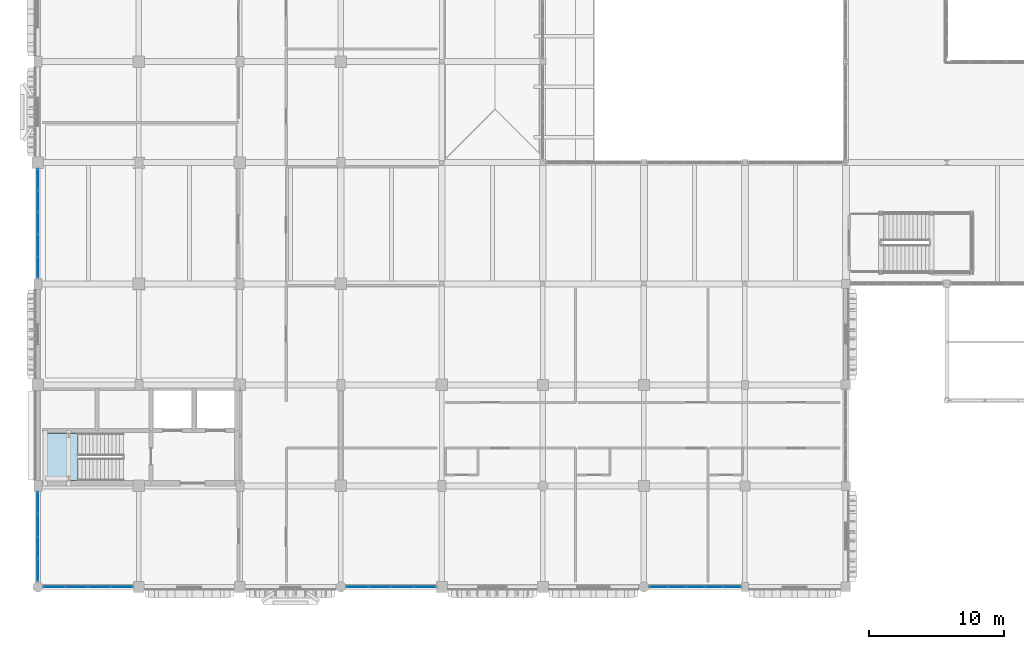
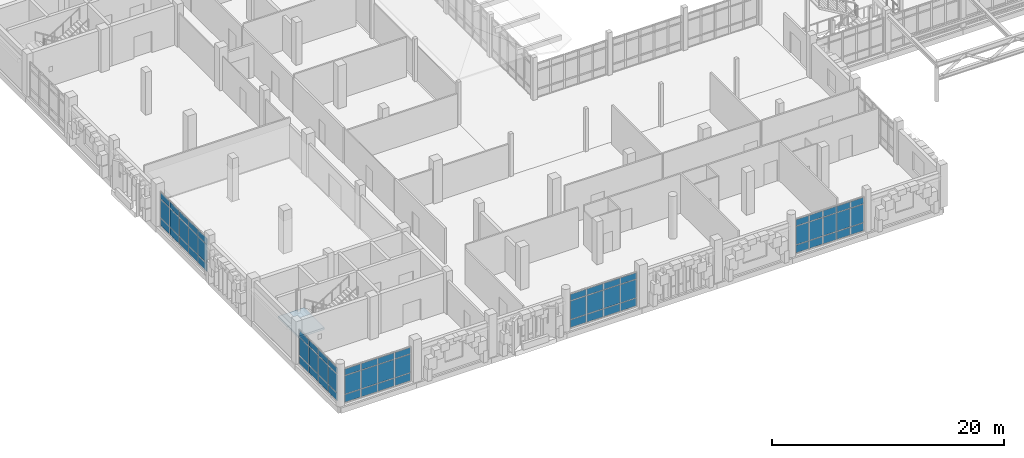
# One storey, part 71 of 128: 66 plates, 1 slab, 6 elements without a shape of their own.
"""IFC4 building model written with IfcOpenShell, lengths in metres."""

from ifc_helpers import new_model, si_unit, direction, frame, origin, origin_2d, place, context, subcontext, project, spatial, polyline, rectangle, outline, extrude, material, layer, layer_set, type_object, element, aggregate, save


model = new_model("IFC4")

# Units and contexts
model_context = context("Model", 3, precision=1e-05, world=origin(), true_north=direction((0.0, 1.0)))
body_context = subcontext(model_context, "Body", "Model", "MODEL_VIEW")
ifc_project = project(units=[si_unit("LENGTHUNIT", "METRE"), si_unit("AREAUNIT", "SQUARE_METRE"), si_unit("VOLUMEUNIT", "CUBIC_METRE"), si_unit("PLANEANGLEUNIT", "RADIAN"), si_unit("MASSUNIT", "GRAM", prefix="KILO")], contexts=[model_context])

# Site, building, storey
site_placement = place(None, origin())
site = spatial("IfcSite", under=ifc_project, at=site_placement, CompositionType="ELEMENT")
building_placement = place(site_placement, origin())
building = spatial("IfcBuilding", under=site, at=building_placement, Name="Dalvernix Boulevard General Hospital", CompositionType="ELEMENT")
storey_placement = place(building_placement, frame((0.0, 0.0, 4.800048828125)))
storey = spatial("IfcBuildingStorey", under=building, at=storey_placement, Name="L01", CompositionType="ELEMENT", Elevation=4.800048828125)

# Curtain wall, plates
ifc_material_1 = material(Name="Thermally broken aluminium and solar-control glass curtain wall", Category="aluminium")
ifc_layer_1 = layer(ifc_material_1, 0.179931640625)
ifc_layer_set_1 = layer_set([ifc_layer_1], Name="Thermally broken aluminium and solar-control glass curtain wall (CW-CW-B-67x36)")
curtain_wall_type_1 = type_object("IfcCurtainWallType", Name="CW-CW-B-67x36", PredefinedType="USERDEFINED", material=ifc_layer_set_1)
curtain_wall_1_placement = place(storey_placement, origin())
curtain_wall_1 = element("IfcCurtainWall", 1, at=curtain_wall_1_placement, inside=storey, type_object=curtain_wall_type_1, Name="L01 curtain wall CW-B-67x36 0-0", ObjectType="GLAZED FACADE", PredefinedType="USERDEFINED")
ifc_material_2 = material(Name="Double-glazed solar-control low-emissivity glass", Category="glass")
ifc_layer_2 = layer(ifc_material_2, 0.028076171875)
ifc_layer_set_2 = layer_set([ifc_layer_2], Name="Double-glazed solar-control low-emissivity glass (PLT-CW-P2)")
plate_type = type_object("IfcPlateType", Name="PLT-CW-P2", PredefinedType="CURTAIN_PANEL", material=ifc_layer_set_2)
plate_1_placement = place(storey_placement, frame((6.235595703125, 0.0, 0.06494140625), z_axis=(0.0, 0.0, 1.0), x_axis=(-1.0, 0.0, 0.0)))
plate_1 = element("IfcPlate", 2, at=plate_1_placement, type_object=plate_type, Name="CW-B-67x36 panel 1.1", PredefinedType="CURTAIN_PANEL", context=body_context, shape_type="SweptSolid", body=[
    extrude(rectangle(XDim=1.578857421875, YDim=0.028076171875, at=origin_2d()), origin(), (0.0, 0.0, 1.0), 0.802490234375),
])
plate_2_placement = place(storey_placement, frame((6.235595703125, 0.0, 0.932373046875), z_axis=(0.0, 0.0, 1.0), x_axis=(-1.0, 0.0, 0.0)))
plate_2 = element("IfcPlate", 3, at=plate_2_placement, type_object=plate_type, Name="CW-B-67x36 panel 1.2", PredefinedType="CURTAIN_PANEL", context=body_context, shape_type="SweptSolid", body=[
    extrude(rectangle(XDim=1.578857421875, YDim=0.028076171875, at=origin_2d()), origin(), (0.0, 0.0, 1.0), 1.9150390625),
])
plate_3_placement = place(storey_placement, frame((6.235595703125, 0.0, 2.91259765625), z_axis=(0.0, 0.0, 1.0), x_axis=(-1.0, 0.0, 0.0)))
plate_3 = element("IfcPlate", 4, at=plate_3_placement, type_object=plate_type, Name="CW-B-67x36 panel 1.3", PredefinedType="CURTAIN_PANEL", context=body_context, shape_type="SweptSolid", body=[
    extrude(rectangle(XDim=1.578857421875, YDim=0.028076171875, at=origin_2d()), origin(), (0.0, 0.0, 1.0), 0.652587890625),
])
plate_4_placement = place(storey_placement, frame((4.57568359375, 0.0, 0.06494140625), z_axis=(0.0, 0.0, 1.0), x_axis=(-1.0, 0.0, 0.0)))
plate_4 = element("IfcPlate", 5, at=plate_4_placement, type_object=plate_type, Name="CW-B-67x36 panel 2.1", PredefinedType="CURTAIN_PANEL", context=body_context, shape_type="SweptSolid", body=[
    extrude(rectangle(XDim=1.611328125, YDim=0.028076171875, at=origin_2d()), origin(), (0.0, 0.0, 1.0), 0.802490234375),
])
plate_5_placement = place(storey_placement, frame((4.57568359375, 0.0, 0.932373046875), z_axis=(0.0, 0.0, 1.0), x_axis=(-1.0, 0.0, 0.0)))
plate_5 = element("IfcPlate", 6, at=plate_5_placement, type_object=plate_type, Name="CW-B-67x36 panel 2.2", PredefinedType="CURTAIN_PANEL", context=body_context, shape_type="SweptSolid", body=[
    extrude(rectangle(XDim=1.611328125, YDim=0.028076171875, at=origin_2d()), origin(), (0.0, 0.0, 1.0), 1.9150390625),
])
plate_6_placement = place(storey_placement, frame((4.57568359375, 0.0, 2.91259765625), z_axis=(0.0, 0.0, 1.0), x_axis=(-1.0, 0.0, 0.0)))
plate_6 = element("IfcPlate", 7, at=plate_6_placement, type_object=plate_type, Name="CW-B-67x36 panel 2.3", PredefinedType="CURTAIN_PANEL", context=body_context, shape_type="SweptSolid", body=[
    extrude(rectangle(XDim=1.611328125, YDim=0.028076171875, at=origin_2d()), origin(), (0.0, 0.0, 1.0), 0.652587890625),
])
plate_7_placement = place(storey_placement, frame((2.8994140625, 0.0, 0.06494140625), z_axis=(0.0, 0.0, 1.0), x_axis=(-1.0, 0.0, 0.0)))
plate_7 = element("IfcPlate", 8, at=plate_7_placement, type_object=plate_type, Name="CW-B-67x36 panel 3.1", PredefinedType="CURTAIN_PANEL", context=body_context, shape_type="SweptSolid", body=[
    extrude(rectangle(XDim=1.611328125, YDim=0.028076171875, at=origin_2d()), origin(), (0.0, 0.0, 1.0), 0.802490234375),
])
plate_8_placement = place(storey_placement, frame((2.8994140625, 0.0, 0.932373046875), z_axis=(0.0, 0.0, 1.0), x_axis=(-1.0, 0.0, 0.0)))
plate_8 = element("IfcPlate", 9, at=plate_8_placement, type_object=plate_type, Name="CW-B-67x36 panel 3.2", PredefinedType="CURTAIN_PANEL", context=body_context, shape_type="SweptSolid", body=[
    extrude(rectangle(XDim=1.611328125, YDim=0.028076171875, at=origin_2d()), origin(), (0.0, 0.0, 1.0), 1.9150390625),
])
plate_9_placement = place(storey_placement, frame((2.8994140625, 0.0, 2.91259765625), z_axis=(0.0, 0.0, 1.0), x_axis=(-1.0, 0.0, 0.0)))
plate_9 = element("IfcPlate", 10, at=plate_9_placement, type_object=plate_type, Name="CW-B-67x36 panel 3.3", PredefinedType="CURTAIN_PANEL", context=body_context, shape_type="SweptSolid", body=[
    extrude(rectangle(XDim=1.611328125, YDim=0.028076171875, at=origin_2d()), origin(), (0.0, 0.0, 1.0), 0.652587890625),
])
plate_10_placement = place(storey_placement, frame((1.2392578125, 0.0, 0.06494140625), z_axis=(0.0, 0.0, 1.0), x_axis=(-1.0, 0.0, 0.0)))
plate_10 = element("IfcPlate", 11, at=plate_10_placement, type_object=plate_type, Name="CW-B-67x36 panel 4.1", PredefinedType="CURTAIN_PANEL", context=body_context, shape_type="SweptSolid", body=[
    extrude(rectangle(XDim=1.578857421875, YDim=0.028076171875, at=origin_2d()), origin(), (0.0, 0.0, 1.0), 0.802490234375),
])
plate_11_placement = place(storey_placement, frame((1.2392578125, 0.0, 0.932373046875), z_axis=(0.0, 0.0, 1.0), x_axis=(-1.0, 0.0, 0.0)))
plate_11 = element("IfcPlate", 12, at=plate_11_placement, type_object=plate_type, Name="CW-B-67x36 panel 4.2", PredefinedType="CURTAIN_PANEL", context=body_context, shape_type="SweptSolid", body=[
    extrude(rectangle(XDim=1.578857421875, YDim=0.028076171875, at=origin_2d()), origin(), (0.0, 0.0, 1.0), 1.9150390625),
])
plate_12_placement = place(storey_placement, frame((1.2392578125, 0.0, 2.91259765625), z_axis=(0.0, 0.0, 1.0), x_axis=(-1.0, 0.0, 0.0)))
plate_12 = element("IfcPlate", 13, at=plate_12_placement, type_object=plate_type, Name="CW-B-67x36 panel 4.3", PredefinedType="CURTAIN_PANEL", context=body_context, shape_type="SweptSolid", body=[
    extrude(rectangle(XDim=1.578857421875, YDim=0.028076171875, at=origin_2d()), origin(), (0.0, 0.0, 1.0), 0.652587890625),
])
aggregate(curtain_wall_1, [plate_1, plate_2, plate_3, plate_4, plate_5, plate_6, plate_7, plate_8, plate_9, plate_10, plate_11, plate_12])

curtain_wall_2_placement = place(storey_placement, origin())
curtain_wall_2 = element("IfcCurtainWall", 14, at=curtain_wall_2_placement, inside=storey, type_object=curtain_wall_type_1, Name="L01 curtain wall CW-B-67x36 0-0", ObjectType="GLAZED FACADE", PredefinedType="USERDEFINED")
plate_13_placement = place(storey_placement, frame((0.0, 1.2392578125, 0.06494140625), z_axis=(0.0, 0.0, 1.0), x_axis=(0.0, 1.0, 0.0)))
plate_13 = element("IfcPlate", 15, at=plate_13_placement, type_object=plate_type, Name="CW-B-67x36 panel 1.1", PredefinedType="CURTAIN_PANEL", context=body_context, shape_type="SweptSolid", body=[
    extrude(rectangle(XDim=1.578857421875, YDim=0.028076171875, at=origin_2d()), origin(), (0.0, 0.0, 1.0), 0.802490234375),
])
plate_14_placement = place(storey_placement, frame((0.0, 1.2392578125, 0.932373046875), z_axis=(0.0, 0.0, 1.0), x_axis=(0.0, 1.0, 0.0)))
plate_14 = element("IfcPlate", 16, at=plate_14_placement, type_object=plate_type, Name="CW-B-67x36 panel 1.2", PredefinedType="CURTAIN_PANEL", context=body_context, shape_type="SweptSolid", body=[
    extrude(rectangle(XDim=1.578857421875, YDim=0.028076171875, at=origin_2d()), origin(), (0.0, 0.0, 1.0), 1.9150390625),
])
plate_15_placement = place(storey_placement, frame((0.0, 1.2392578125, 2.91259765625), z_axis=(0.0, 0.0, 1.0), x_axis=(0.0, 1.0, 0.0)))
plate_15 = element("IfcPlate", 17, at=plate_15_placement, type_object=plate_type, Name="CW-B-67x36 panel 1.3", PredefinedType="CURTAIN_PANEL", context=body_context, shape_type="SweptSolid", body=[
    extrude(rectangle(XDim=1.578857421875, YDim=0.028076171875, at=origin_2d()), origin(), (0.0, 0.0, 1.0), 0.652587890625),
])
plate_16_placement = place(storey_placement, frame((0.0, 2.8994140625, 0.06494140625), z_axis=(0.0, 0.0, 1.0), x_axis=(0.0, 1.0, 0.0)))
plate_16 = element("IfcPlate", 18, at=plate_16_placement, type_object=plate_type, Name="CW-B-67x36 panel 2.1", PredefinedType="CURTAIN_PANEL", context=body_context, shape_type="SweptSolid", body=[
    extrude(rectangle(XDim=1.611328125, YDim=0.028076171875, at=origin_2d()), origin(), (0.0, 0.0, 1.0), 0.802490234375),
])
plate_17_placement = place(storey_placement, frame((0.0, 2.8994140625, 0.932373046875), z_axis=(0.0, 0.0, 1.0), x_axis=(0.0, 1.0, 0.0)))
plate_17 = element("IfcPlate", 19, at=plate_17_placement, type_object=plate_type, Name="CW-B-67x36 panel 2.2", PredefinedType="CURTAIN_PANEL", context=body_context, shape_type="SweptSolid", body=[
    extrude(rectangle(XDim=1.611328125, YDim=0.028076171875, at=origin_2d()), origin(), (0.0, 0.0, 1.0), 1.9150390625),
])
plate_18_placement = place(storey_placement, frame((0.0, 2.8994140625, 2.91259765625), z_axis=(0.0, 0.0, 1.0), x_axis=(0.0, 1.0, 0.0)))
plate_18 = element("IfcPlate", 20, at=plate_18_placement, type_object=plate_type, Name="CW-B-67x36 panel 2.3", PredefinedType="CURTAIN_PANEL", context=body_context, shape_type="SweptSolid", body=[
    extrude(rectangle(XDim=1.611328125, YDim=0.028076171875, at=origin_2d()), origin(), (0.0, 0.0, 1.0), 0.652587890625),
])
plate_19_placement = place(storey_placement, frame((0.0, 4.57568359375, 0.06494140625), z_axis=(0.0, 0.0, 1.0), x_axis=(0.0, 1.0, 0.0)))
plate_19 = element("IfcPlate", 21, at=plate_19_placement, type_object=plate_type, Name="CW-B-67x36 panel 3.1", PredefinedType="CURTAIN_PANEL", context=body_context, shape_type="SweptSolid", body=[
    extrude(rectangle(XDim=1.611328125, YDim=0.028076171875, at=origin_2d()), origin(), (0.0, 0.0, 1.0), 0.802490234375),
])
plate_20_placement = place(storey_placement, frame((0.0, 4.57568359375, 0.932373046875), z_axis=(0.0, 0.0, 1.0), x_axis=(0.0, 1.0, 0.0)))
plate_20 = element("IfcPlate", 22, at=plate_20_placement, type_object=plate_type, Name="CW-B-67x36 panel 3.2", PredefinedType="CURTAIN_PANEL", context=body_context, shape_type="SweptSolid", body=[
    extrude(rectangle(XDim=1.611328125, YDim=0.028076171875, at=origin_2d()), origin(), (0.0, 0.0, 1.0), 1.9150390625),
])
plate_21_placement = place(storey_placement, frame((0.0, 4.57568359375, 2.91259765625), z_axis=(0.0, 0.0, 1.0), x_axis=(0.0, 1.0, 0.0)))
plate_21 = element("IfcPlate", 23, at=plate_21_placement, type_object=plate_type, Name="CW-B-67x36 panel 3.3", PredefinedType="CURTAIN_PANEL", context=body_context, shape_type="SweptSolid", body=[
    extrude(rectangle(XDim=1.611328125, YDim=0.028076171875, at=origin_2d()), origin(), (0.0, 0.0, 1.0), 0.652587890625),
])
plate_22_placement = place(storey_placement, frame((0.0, 6.235595703125, 0.06494140625), z_axis=(0.0, 0.0, 1.0), x_axis=(0.0, 1.0, 0.0)))
plate_22 = element("IfcPlate", 24, at=plate_22_placement, type_object=plate_type, Name="CW-B-67x36 panel 4.1", PredefinedType="CURTAIN_PANEL", context=body_context, shape_type="SweptSolid", body=[
    extrude(rectangle(XDim=1.578857421875, YDim=0.028076171875, at=origin_2d()), origin(), (0.0, 0.0, 1.0), 0.802490234375),
])
plate_23_placement = place(storey_placement, frame((0.0, 6.235595703125, 0.932373046875), z_axis=(0.0, 0.0, 1.0), x_axis=(0.0, 1.0, 0.0)))
plate_23 = element("IfcPlate", 25, at=plate_23_placement, type_object=plate_type, Name="CW-B-67x36 panel 4.2", PredefinedType="CURTAIN_PANEL", context=body_context, shape_type="SweptSolid", body=[
    extrude(rectangle(XDim=1.578857421875, YDim=0.028076171875, at=origin_2d()), origin(), (0.0, 0.0, 1.0), 1.9150390625),
])
plate_24_placement = place(storey_placement, frame((0.0, 6.235595703125, 2.91259765625), z_axis=(0.0, 0.0, 1.0), x_axis=(0.0, 1.0, 0.0)))
plate_24 = element("IfcPlate", 26, at=plate_24_placement, type_object=plate_type, Name="CW-B-67x36 panel 4.3", PredefinedType="CURTAIN_PANEL", context=body_context, shape_type="SweptSolid", body=[
    extrude(rectangle(XDim=1.578857421875, YDim=0.028076171875, at=origin_2d()), origin(), (0.0, 0.0, 1.0), 0.652587890625),
])
aggregate(curtain_wall_2, [plate_13, plate_14, plate_15, plate_16, plate_17, plate_18, plate_19, plate_20, plate_21, plate_22, plate_23, plate_24])

ifc_layer_3 = layer(ifc_material_1, 0.179931640625)
ifc_layer_set_3 = layer_set([ifc_layer_3], Name="Thermally broken aluminium and solar-control glass curtain wall (CW-CW-B-82x36)")
curtain_wall_type_2 = type_object("IfcCurtainWallType", Name="CW-CW-B-82x36", PredefinedType="USERDEFINED", material=ifc_layer_set_3)
curtain_wall_3_placement = place(storey_placement, origin())
curtain_wall_3 = element("IfcCurtainWall", 27, at=curtain_wall_3_placement, inside=storey, type_object=curtain_wall_type_2, Name="L01 curtain wall CW-B-82x36 0-3", ObjectType="GLAZED FACADE", PredefinedType="USERDEFINED")
plate_25_placement = place(storey_placement, frame((0.0, 23.74169921875, 0.06494140625), z_axis=(0.0, 0.0, 1.0), x_axis=(0.0, 1.0, 0.0)))
plate_25 = element("IfcPlate", 28, at=plate_25_placement, type_object=plate_type, Name="CW-B-82x36 panel 1.1", PredefinedType="CURTAIN_PANEL", context=body_context, shape_type="SweptSolid", body=[
    extrude(rectangle(XDim=1.533447265625, YDim=0.028076171875, at=origin_2d()), origin(), (0.0, 0.0, 1.0), 0.802490234375),
])
plate_26_placement = place(storey_placement, frame((0.0, 23.74169921875, 0.932373046875), z_axis=(0.0, 0.0, 1.0), x_axis=(0.0, 1.0, 0.0)))
plate_26 = element("IfcPlate", 29, at=plate_26_placement, type_object=plate_type, Name="CW-B-82x36 panel 1.2", PredefinedType="CURTAIN_PANEL", context=body_context, shape_type="SweptSolid", body=[
    extrude(rectangle(XDim=1.533447265625, YDim=0.028076171875, at=origin_2d()), origin(), (0.0, 0.0, 1.0), 1.9150390625),
])
plate_27_placement = place(storey_placement, frame((0.0, 23.74169921875, 2.91259765625), z_axis=(0.0, 0.0, 1.0), x_axis=(0.0, 1.0, 0.0)))
plate_27 = element("IfcPlate", 30, at=plate_27_placement, type_object=plate_type, Name="CW-B-82x36 panel 1.3", PredefinedType="CURTAIN_PANEL", context=body_context, shape_type="SweptSolid", body=[
    extrude(rectangle(XDim=1.533447265625, YDim=0.028076171875, at=origin_2d()), origin(), (0.0, 0.0, 1.0), 0.652587890625),
])
plate_28_placement = place(storey_placement, frame((0.0, 25.3564453125, 0.06494140625), z_axis=(0.0, 0.0, 1.0), x_axis=(0.0, 1.0, 0.0)))
plate_28 = element("IfcPlate", 31, at=plate_28_placement, type_object=plate_type, Name="CW-B-82x36 panel 2.1", PredefinedType="CURTAIN_PANEL", context=body_context, shape_type="SweptSolid", body=[
    extrude(rectangle(XDim=1.56591796875, YDim=0.028076171875, at=origin_2d()), origin(), (0.0, 0.0, 1.0), 0.802490234375),
])
plate_29_placement = place(storey_placement, frame((0.0, 25.3564453125, 0.932373046875), z_axis=(0.0, 0.0, 1.0), x_axis=(0.0, 1.0, 0.0)))
plate_29 = element("IfcPlate", 32, at=plate_29_placement, type_object=plate_type, Name="CW-B-82x36 panel 2.2", PredefinedType="CURTAIN_PANEL", context=body_context, shape_type="SweptSolid", body=[
    extrude(rectangle(XDim=1.56591796875, YDim=0.028076171875, at=origin_2d()), origin(), (0.0, 0.0, 1.0), 1.9150390625),
])
plate_30_placement = place(storey_placement, frame((0.0, 25.3564453125, 2.91259765625), z_axis=(0.0, 0.0, 1.0), x_axis=(0.0, 1.0, 0.0)))
plate_30 = element("IfcPlate", 33, at=plate_30_placement, type_object=plate_type, Name="CW-B-82x36 panel 2.3", PredefinedType="CURTAIN_PANEL", context=body_context, shape_type="SweptSolid", body=[
    extrude(rectangle(XDim=1.56591796875, YDim=0.028076171875, at=origin_2d()), origin(), (0.0, 0.0, 1.0), 0.652587890625),
])
plate_31_placement = place(storey_placement, frame((0.0, 26.987548828125, 0.06494140625), z_axis=(0.0, 0.0, 1.0), x_axis=(0.0, 1.0, 0.0)))
plate_31 = element("IfcPlate", 34, at=plate_31_placement, type_object=plate_type, Name="CW-B-82x36 panel 3.1", PredefinedType="CURTAIN_PANEL", context=body_context, shape_type="SweptSolid", body=[
    extrude(rectangle(XDim=1.56591796875, YDim=0.028076171875, at=origin_2d()), origin(), (0.0, 0.0, 1.0), 0.802490234375),
])
plate_32_placement = place(storey_placement, frame((0.0, 26.987548828125, 0.932373046875), z_axis=(0.0, 0.0, 1.0), x_axis=(0.0, 1.0, 0.0)))
plate_32 = element("IfcPlate", 35, at=plate_32_placement, type_object=plate_type, Name="CW-B-82x36 panel 3.2", PredefinedType="CURTAIN_PANEL", context=body_context, shape_type="SweptSolid", body=[
    extrude(rectangle(XDim=1.56591796875, YDim=0.028076171875, at=origin_2d()), origin(), (0.0, 0.0, 1.0), 1.9150390625),
])
plate_33_placement = place(storey_placement, frame((0.0, 26.987548828125, 2.91259765625), z_axis=(0.0, 0.0, 1.0), x_axis=(0.0, 1.0, 0.0)))
plate_33 = element("IfcPlate", 36, at=plate_33_placement, type_object=plate_type, Name="CW-B-82x36 panel 3.3", PredefinedType="CURTAIN_PANEL", context=body_context, shape_type="SweptSolid", body=[
    extrude(rectangle(XDim=1.56591796875, YDim=0.028076171875, at=origin_2d()), origin(), (0.0, 0.0, 1.0), 0.652587890625),
])
plate_34_placement = place(storey_placement, frame((0.0, 28.618408203125, 0.06494140625), z_axis=(0.0, 0.0, 1.0), x_axis=(0.0, 1.0, 0.0)))
plate_34 = element("IfcPlate", 37, at=plate_34_placement, type_object=plate_type, Name="CW-B-82x36 panel 4.1", PredefinedType="CURTAIN_PANEL", context=body_context, shape_type="SweptSolid", body=[
    extrude(rectangle(XDim=1.56591796875, YDim=0.028076171875, at=origin_2d()), origin(), (0.0, 0.0, 1.0), 0.802490234375),
])
plate_35_placement = place(storey_placement, frame((0.0, 28.618408203125, 0.932373046875), z_axis=(0.0, 0.0, 1.0), x_axis=(0.0, 1.0, 0.0)))
plate_35 = element("IfcPlate", 38, at=plate_35_placement, type_object=plate_type, Name="CW-B-82x36 panel 4.2", PredefinedType="CURTAIN_PANEL", context=body_context, shape_type="SweptSolid", body=[
    extrude(rectangle(XDim=1.56591796875, YDim=0.028076171875, at=origin_2d()), origin(), (0.0, 0.0, 1.0), 1.9150390625),
])
plate_36_placement = place(storey_placement, frame((0.0, 28.618408203125, 2.91259765625), z_axis=(0.0, 0.0, 1.0), x_axis=(0.0, 1.0, 0.0)))
plate_36 = element("IfcPlate", 39, at=plate_36_placement, type_object=plate_type, Name="CW-B-82x36 panel 4.3", PredefinedType="CURTAIN_PANEL", context=body_context, shape_type="SweptSolid", body=[
    extrude(rectangle(XDim=1.56591796875, YDim=0.028076171875, at=origin_2d()), origin(), (0.0, 0.0, 1.0), 0.652587890625),
])
plate_37_placement = place(storey_placement, frame((0.0, 30.233154296875, 0.06494140625), z_axis=(0.0, 0.0, 1.0), x_axis=(0.0, 1.0, 0.0)))
plate_37 = element("IfcPlate", 40, at=plate_37_placement, type_object=plate_type, Name="CW-B-82x36 panel 5.1", PredefinedType="CURTAIN_PANEL", context=body_context, shape_type="SweptSolid", body=[
    extrude(rectangle(XDim=1.533447265625, YDim=0.028076171875, at=origin_2d()), origin(), (0.0, 0.0, 1.0), 0.802490234375),
])
plate_38_placement = place(storey_placement, frame((0.0, 30.233154296875, 0.932373046875), z_axis=(0.0, 0.0, 1.0), x_axis=(0.0, 1.0, 0.0)))
plate_38 = element("IfcPlate", 41, at=plate_38_placement, type_object=plate_type, Name="CW-B-82x36 panel 5.2", PredefinedType="CURTAIN_PANEL", context=body_context, shape_type="SweptSolid", body=[
    extrude(rectangle(XDim=1.533447265625, YDim=0.028076171875, at=origin_2d()), origin(), (0.0, 0.0, 1.0), 1.9150390625),
])
plate_39_placement = place(storey_placement, frame((0.0, 30.233154296875, 2.91259765625), z_axis=(0.0, 0.0, 1.0), x_axis=(0.0, 1.0, 0.0)))
plate_39 = element("IfcPlate", 42, at=plate_39_placement, type_object=plate_type, Name="CW-B-82x36 panel 5.3", PredefinedType="CURTAIN_PANEL", context=body_context, shape_type="SweptSolid", body=[
    extrude(rectangle(XDim=1.533447265625, YDim=0.028076171875, at=origin_2d()), origin(), (0.0, 0.0, 1.0), 0.652587890625),
])
aggregate(curtain_wall_3, [plate_25, plate_26, plate_27, plate_28, plate_29, plate_30, plate_31, plate_32, plate_33, plate_34, plate_35, plate_36, plate_37, plate_38, plate_39])

curtain_wall_4_placement = place(storey_placement, origin())
curtain_wall_4 = element("IfcCurtainWall", 43, at=curtain_wall_4_placement, inside=storey, type_object=curtain_wall_type_1, Name="L01 curtain wall CW-B-67x36 3-0", ObjectType="GLAZED FACADE", PredefinedType="USERDEFINED")
plate_40_placement = place(storey_placement, frame((28.735595703125, 0.0, 0.06494140625), z_axis=(0.0, 0.0, 1.0), x_axis=(-1.0, 0.0, 0.0)))
plate_40 = element("IfcPlate", 44, at=plate_40_placement, type_object=plate_type, Name="CW-B-67x36 panel 1.1", PredefinedType="CURTAIN_PANEL", context=body_context, shape_type="SweptSolid", body=[
    extrude(rectangle(XDim=1.578857421875, YDim=0.028076171875, at=origin_2d()), origin(), (0.0, 0.0, 1.0), 0.802490234375),
])
plate_41_placement = place(storey_placement, frame((28.735595703125, 0.0, 0.932373046875), z_axis=(0.0, 0.0, 1.0), x_axis=(-1.0, 0.0, 0.0)))
plate_41 = element("IfcPlate", 45, at=plate_41_placement, type_object=plate_type, Name="CW-B-67x36 panel 1.2", PredefinedType="CURTAIN_PANEL", context=body_context, shape_type="SweptSolid", body=[
    extrude(rectangle(XDim=1.578857421875, YDim=0.028076171875, at=origin_2d()), origin(), (0.0, 0.0, 1.0), 1.9150390625),
])
plate_42_placement = place(storey_placement, frame((28.735595703125, 0.0, 2.91259765625), z_axis=(0.0, 0.0, 1.0), x_axis=(-1.0, 0.0, 0.0)))
plate_42 = element("IfcPlate", 46, at=plate_42_placement, type_object=plate_type, Name="CW-B-67x36 panel 1.3", PredefinedType="CURTAIN_PANEL", context=body_context, shape_type="SweptSolid", body=[
    extrude(rectangle(XDim=1.578857421875, YDim=0.028076171875, at=origin_2d()), origin(), (0.0, 0.0, 1.0), 0.652587890625),
])
plate_43_placement = place(storey_placement, frame((27.07568359375, 0.0, 0.06494140625), z_axis=(0.0, 0.0, 1.0), x_axis=(-1.0, 0.0, 0.0)))
plate_43 = element("IfcPlate", 47, at=plate_43_placement, type_object=plate_type, Name="CW-B-67x36 panel 2.1", PredefinedType="CURTAIN_PANEL", context=body_context, shape_type="SweptSolid", body=[
    extrude(rectangle(XDim=1.611328125, YDim=0.028076171875, at=origin_2d()), origin(), (0.0, 0.0, 1.0), 0.802490234375),
])
plate_44_placement = place(storey_placement, frame((27.07568359375, 0.0, 0.932373046875), z_axis=(0.0, 0.0, 1.0), x_axis=(-1.0, 0.0, 0.0)))
plate_44 = element("IfcPlate", 48, at=plate_44_placement, type_object=plate_type, Name="CW-B-67x36 panel 2.2", PredefinedType="CURTAIN_PANEL", context=body_context, shape_type="SweptSolid", body=[
    extrude(rectangle(XDim=1.611328125, YDim=0.028076171875, at=origin_2d()), origin(), (0.0, 0.0, 1.0), 1.9150390625),
])
plate_45_placement = place(storey_placement, frame((27.07568359375, 0.0, 2.91259765625), z_axis=(0.0, 0.0, 1.0), x_axis=(-1.0, 0.0, 0.0)))
plate_45 = element("IfcPlate", 49, at=plate_45_placement, type_object=plate_type, Name="CW-B-67x36 panel 2.3", PredefinedType="CURTAIN_PANEL", context=body_context, shape_type="SweptSolid", body=[
    extrude(rectangle(XDim=1.611328125, YDim=0.028076171875, at=origin_2d()), origin(), (0.0, 0.0, 1.0), 0.652587890625),
])
plate_46_placement = place(storey_placement, frame((25.3994140625, 0.0, 0.06494140625), z_axis=(0.0, 0.0, 1.0), x_axis=(-1.0, 0.0, 0.0)))
plate_46 = element("IfcPlate", 50, at=plate_46_placement, type_object=plate_type, Name="CW-B-67x36 panel 3.1", PredefinedType="CURTAIN_PANEL", context=body_context, shape_type="SweptSolid", body=[
    extrude(rectangle(XDim=1.611328125, YDim=0.028076171875, at=origin_2d()), origin(), (0.0, 0.0, 1.0), 0.802490234375),
])
plate_47_placement = place(storey_placement, frame((25.3994140625, 0.0, 0.932373046875), z_axis=(0.0, 0.0, 1.0), x_axis=(-1.0, 0.0, 0.0)))
plate_47 = element("IfcPlate", 51, at=plate_47_placement, type_object=plate_type, Name="CW-B-67x36 panel 3.2", PredefinedType="CURTAIN_PANEL", context=body_context, shape_type="SweptSolid", body=[
    extrude(rectangle(XDim=1.611328125, YDim=0.028076171875, at=origin_2d()), origin(), (0.0, 0.0, 1.0), 1.9150390625),
])
plate_48_placement = place(storey_placement, frame((25.3994140625, 0.0, 2.91259765625), z_axis=(0.0, 0.0, 1.0), x_axis=(-1.0, 0.0, 0.0)))
plate_48 = element("IfcPlate", 52, at=plate_48_placement, type_object=plate_type, Name="CW-B-67x36 panel 3.3", PredefinedType="CURTAIN_PANEL", context=body_context, shape_type="SweptSolid", body=[
    extrude(rectangle(XDim=1.611328125, YDim=0.028076171875, at=origin_2d()), origin(), (0.0, 0.0, 1.0), 0.652587890625),
])
plate_49_placement = place(storey_placement, frame((23.7392578125, 0.0, 0.06494140625), z_axis=(0.0, 0.0, 1.0), x_axis=(-1.0, 0.0, 0.0)))
plate_49 = element("IfcPlate", 53, at=plate_49_placement, type_object=plate_type, Name="CW-B-67x36 panel 4.1", PredefinedType="CURTAIN_PANEL", context=body_context, shape_type="SweptSolid", body=[
    extrude(rectangle(XDim=1.578857421875, YDim=0.028076171875, at=origin_2d()), origin(), (0.0, 0.0, 1.0), 0.802490234375),
])
plate_50_placement = place(storey_placement, frame((23.7392578125, 0.0, 0.932373046875), z_axis=(0.0, 0.0, 1.0), x_axis=(-1.0, 0.0, 0.0)))
plate_50 = element("IfcPlate", 54, at=plate_50_placement, type_object=plate_type, Name="CW-B-67x36 panel 4.2", PredefinedType="CURTAIN_PANEL", context=body_context, shape_type="SweptSolid", body=[
    extrude(rectangle(XDim=1.578857421875, YDim=0.028076171875, at=origin_2d()), origin(), (0.0, 0.0, 1.0), 1.9150390625),
])
plate_51_placement = place(storey_placement, frame((23.7392578125, 0.0, 2.91259765625), z_axis=(0.0, 0.0, 1.0), x_axis=(-1.0, 0.0, 0.0)))
plate_51 = element("IfcPlate", 55, at=plate_51_placement, type_object=plate_type, Name="CW-B-67x36 panel 4.3", PredefinedType="CURTAIN_PANEL", context=body_context, shape_type="SweptSolid", body=[
    extrude(rectangle(XDim=1.578857421875, YDim=0.028076171875, at=origin_2d()), origin(), (0.0, 0.0, 1.0), 0.652587890625),
])
aggregate(curtain_wall_4, [plate_40, plate_41, plate_42, plate_43, plate_44, plate_45, plate_46, plate_47, plate_48, plate_49, plate_50, plate_51])

ifc_layer_4 = layer(ifc_material_1, 0.179931640625)
ifc_layer_set_4 = layer_set([ifc_layer_4], Name="Thermally broken aluminium and solar-control glass curtain wall (CW-CW-B-69x36)")
curtain_wall_type_3 = type_object("IfcCurtainWallType", Name="CW-CW-B-69x36", PredefinedType="USERDEFINED", material=ifc_layer_set_4)
curtain_wall_5_placement = place(storey_placement, origin())
curtain_wall_5 = element("IfcCurtainWall", 56, at=curtain_wall_5_placement, inside=storey, type_object=curtain_wall_type_3, Name="L01 curtain wall CW-B-69x36 6-0", ObjectType="GLAZED FACADE", PredefinedType="USERDEFINED")
plate_52_placement = place(storey_placement, frame((51.538330078125, 0.0, 0.06494140625), z_axis=(0.0, 0.0, 1.0), x_axis=(-1.0, 0.0, 0.0)))
plate_52 = element("IfcPlate", 57, at=plate_52_placement, type_object=plate_type, Name="CW-B-69x36 panel 1.1", PredefinedType="CURTAIN_PANEL", context=body_context, shape_type="SweptSolid", body=[
    extrude(rectangle(XDim=1.2734375, YDim=0.028076171875, at=origin_2d()), origin(), (0.0, 0.0, 1.0), 0.802490234375),
])
plate_53_placement = place(storey_placement, frame((51.538330078125, 0.0, 0.932373046875), z_axis=(0.0, 0.0, 1.0), x_axis=(-1.0, 0.0, 0.0)))
plate_53 = element("IfcPlate", 58, at=plate_53_placement, type_object=plate_type, Name="CW-B-69x36 panel 1.2", PredefinedType="CURTAIN_PANEL", context=body_context, shape_type="SweptSolid", body=[
    extrude(rectangle(XDim=1.2734375, YDim=0.028076171875, at=origin_2d()), origin(), (0.0, 0.0, 1.0), 1.9150390625),
])
plate_54_placement = place(storey_placement, frame((51.538330078125, 0.0, 2.91259765625), z_axis=(0.0, 0.0, 1.0), x_axis=(-1.0, 0.0, 0.0)))
plate_54 = element("IfcPlate", 59, at=plate_54_placement, type_object=plate_type, Name="CW-B-69x36 panel 1.3", PredefinedType="CURTAIN_PANEL", context=body_context, shape_type="SweptSolid", body=[
    extrude(rectangle(XDim=1.2734375, YDim=0.028076171875, at=origin_2d()), origin(), (0.0, 0.0, 1.0), 0.652587890625),
])
plate_55_placement = place(storey_placement, frame((50.18359375, 0.0, 0.06494140625), z_axis=(0.0, 0.0, 1.0), x_axis=(-1.0, 0.0, 0.0)))
plate_55 = element("IfcPlate", 60, at=plate_55_placement, type_object=plate_type, Name="CW-B-69x36 panel 2.1", PredefinedType="CURTAIN_PANEL", context=body_context, shape_type="SweptSolid", body=[
    extrude(rectangle(XDim=1.305908203125, YDim=0.028076171875, at=origin_2d()), origin(), (0.0, 0.0, 1.0), 0.802490234375),
])
plate_56_placement = place(storey_placement, frame((50.18359375, 0.0, 0.932373046875), z_axis=(0.0, 0.0, 1.0), x_axis=(-1.0, 0.0, 0.0)))
plate_56 = element("IfcPlate", 61, at=plate_56_placement, type_object=plate_type, Name="CW-B-69x36 panel 2.2", PredefinedType="CURTAIN_PANEL", context=body_context, shape_type="SweptSolid", body=[
    extrude(rectangle(XDim=1.305908203125, YDim=0.028076171875, at=origin_2d()), origin(), (0.0, 0.0, 1.0), 1.9150390625),
])
plate_57_placement = place(storey_placement, frame((50.18359375, 0.0, 2.91259765625), z_axis=(0.0, 0.0, 1.0), x_axis=(-1.0, 0.0, 0.0)))
plate_57 = element("IfcPlate", 62, at=plate_57_placement, type_object=plate_type, Name="CW-B-69x36 panel 2.3", PredefinedType="CURTAIN_PANEL", context=body_context, shape_type="SweptSolid", body=[
    extrude(rectangle(XDim=1.305908203125, YDim=0.028076171875, at=origin_2d()), origin(), (0.0, 0.0, 1.0), 0.652587890625),
])
plate_58_placement = place(storey_placement, frame((48.8125, 0.0, 0.06494140625), z_axis=(0.0, 0.0, 1.0), x_axis=(-1.0, 0.0, 0.0)))
plate_58 = element("IfcPlate", 63, at=plate_58_placement, type_object=plate_type, Name="CW-B-69x36 panel 3.1", PredefinedType="CURTAIN_PANEL", context=body_context, shape_type="SweptSolid", body=[
    extrude(rectangle(XDim=1.305908203125, YDim=0.028076171875, at=origin_2d()), origin(), (0.0, 0.0, 1.0), 0.802490234375),
])
plate_59_placement = place(storey_placement, frame((48.8125, 0.0, 0.932373046875), z_axis=(0.0, 0.0, 1.0), x_axis=(-1.0, 0.0, 0.0)))
plate_59 = element("IfcPlate", 64, at=plate_59_placement, type_object=plate_type, Name="CW-B-69x36 panel 3.2", PredefinedType="CURTAIN_PANEL", context=body_context, shape_type="SweptSolid", body=[
    extrude(rectangle(XDim=1.305908203125, YDim=0.028076171875, at=origin_2d()), origin(), (0.0, 0.0, 1.0), 1.9150390625),
])
plate_60_placement = place(storey_placement, frame((48.8125, 0.0, 2.91259765625), z_axis=(0.0, 0.0, 1.0), x_axis=(-1.0, 0.0, 0.0)))
plate_60 = element("IfcPlate", 65, at=plate_60_placement, type_object=plate_type, Name="CW-B-69x36 panel 3.3", PredefinedType="CURTAIN_PANEL", context=body_context, shape_type="SweptSolid", body=[
    extrude(rectangle(XDim=1.305908203125, YDim=0.028076171875, at=origin_2d()), origin(), (0.0, 0.0, 1.0), 0.652587890625),
])
plate_61_placement = place(storey_placement, frame((47.44140625, 0.0, 0.06494140625), z_axis=(0.0, 0.0, 1.0), x_axis=(-1.0, 0.0, 0.0)))
plate_61 = element("IfcPlate", 66, at=plate_61_placement, type_object=plate_type, Name="CW-B-69x36 panel 4.1", PredefinedType="CURTAIN_PANEL", context=body_context, shape_type="SweptSolid", body=[
    extrude(rectangle(XDim=1.305908203125, YDim=0.028076171875, at=origin_2d()), origin(), (0.0, 0.0, 1.0), 0.802490234375),
])
plate_62_placement = place(storey_placement, frame((47.44140625, 0.0, 0.932373046875), z_axis=(0.0, 0.0, 1.0), x_axis=(-1.0, 0.0, 0.0)))
plate_62 = element("IfcPlate", 67, at=plate_62_placement, type_object=plate_type, Name="CW-B-69x36 panel 4.2", PredefinedType="CURTAIN_PANEL", context=body_context, shape_type="SweptSolid", body=[
    extrude(rectangle(XDim=1.305908203125, YDim=0.028076171875, at=origin_2d()), origin(), (0.0, 0.0, 1.0), 1.9150390625),
])
plate_63_placement = place(storey_placement, frame((47.44140625, 0.0, 2.91259765625), z_axis=(0.0, 0.0, 1.0), x_axis=(-1.0, 0.0, 0.0)))
plate_63 = element("IfcPlate", 68, at=plate_63_placement, type_object=plate_type, Name="CW-B-69x36 panel 4.3", PredefinedType="CURTAIN_PANEL", context=body_context, shape_type="SweptSolid", body=[
    extrude(rectangle(XDim=1.305908203125, YDim=0.028076171875, at=origin_2d()), origin(), (0.0, 0.0, 1.0), 0.652587890625),
])
plate_64_placement = place(storey_placement, frame((46.086669921875, 0.0, 0.06494140625), z_axis=(0.0, 0.0, 1.0), x_axis=(-1.0, 0.0, 0.0)))
plate_64 = element("IfcPlate", 69, at=plate_64_placement, type_object=plate_type, Name="CW-B-69x36 panel 5.1", PredefinedType="CURTAIN_PANEL", context=body_context, shape_type="SweptSolid", body=[
    extrude(rectangle(XDim=1.2734375, YDim=0.028076171875, at=origin_2d()), origin(), (0.0, 0.0, 1.0), 0.802490234375),
])
plate_65_placement = place(storey_placement, frame((46.086669921875, 0.0, 0.932373046875), z_axis=(0.0, 0.0, 1.0), x_axis=(-1.0, 0.0, 0.0)))
plate_65 = element("IfcPlate", 70, at=plate_65_placement, type_object=plate_type, Name="CW-B-69x36 panel 5.2", PredefinedType="CURTAIN_PANEL", context=body_context, shape_type="SweptSolid", body=[
    extrude(rectangle(XDim=1.2734375, YDim=0.028076171875, at=origin_2d()), origin(), (0.0, 0.0, 1.0), 1.9150390625),
])
plate_66_placement = place(storey_placement, frame((46.086669921875, 0.0, 2.91259765625), z_axis=(0.0, 0.0, 1.0), x_axis=(-1.0, 0.0, 0.0)))
plate_66 = element("IfcPlate", 71, at=plate_66_placement, type_object=plate_type, Name="CW-B-69x36 panel 5.3", PredefinedType="CURTAIN_PANEL", context=body_context, shape_type="SweptSolid", body=[
    extrude(rectangle(XDim=1.2734375, YDim=0.028076171875, at=origin_2d()), origin(), (0.0, 0.0, 1.0), 0.652587890625),
])
aggregate(curtain_wall_5, [plate_52, plate_53, plate_54, plate_55, plate_56, plate_57, plate_58, plate_59, plate_60, plate_61, plate_62, plate_63, plate_64, plate_65, plate_66])

# Stair, slab
ifc_material_3 = material(Name="Precast concrete C40/50", Category="concrete")
stair_type = type_object("IfcStairType", Name="IFCSTAIR-STC-165x450", PredefinedType="HALF_TURN_STAIR", material=ifc_material_3)
stair_placement = place(storey_placement, origin())
stair = element("IfcStair", 72, at=stair_placement, inside=storey, type_object=stair_type, Name="L01 Core C1 Exit Stair ST-01", PredefinedType="HALF_TURN_STAIR")
ifc_layer_5 = layer(ifc_material_3, 0.199951171875)
ifc_layer_set_5 = layer_set([ifc_layer_5], Name="Precast concrete C40/50 (SLB-LND-01)")
slab_type = type_object("IfcSlabType", Name="SLB-LND-01", PredefinedType="LANDING", material=ifc_layer_set_5)
slab_placement = place(storey_placement, frame((0.0, 0.0, 2.050048828125)))
slab = element("IfcSlab", 73, at=slab_placement, type_object=slab_type, Name="ST-01 landing 1", PredefinedType="LANDING", context=body_context, shape_type="SweptSolid", body=[
    extrude(outline(polyline([(2.989990234375, 11.39990234375), (0.39990234375, 11.39990234375), (0.39990234375, 7.89990234375), (2.989990234375, 7.89990234375), (2.989990234375, 11.39990234375)])), origin(), (0.0, 0.0, 1.0), 0.199951171875),
])
aggregate(stair, [slab])

save(model, "model.ifc")
